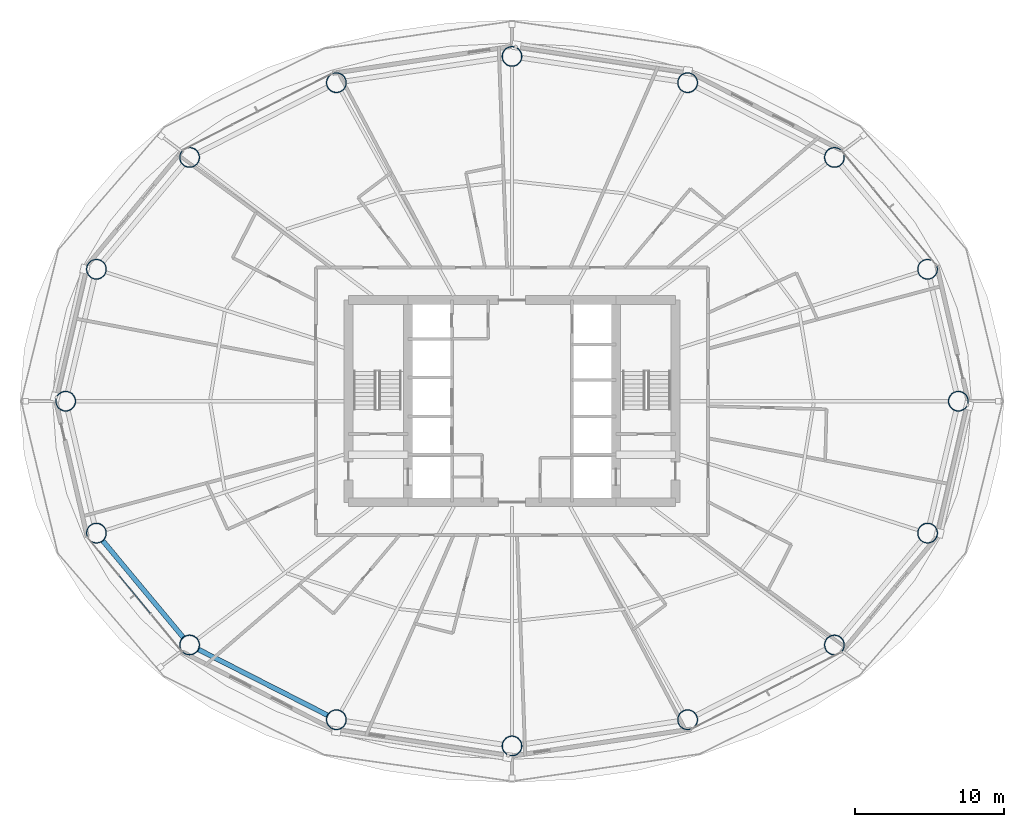
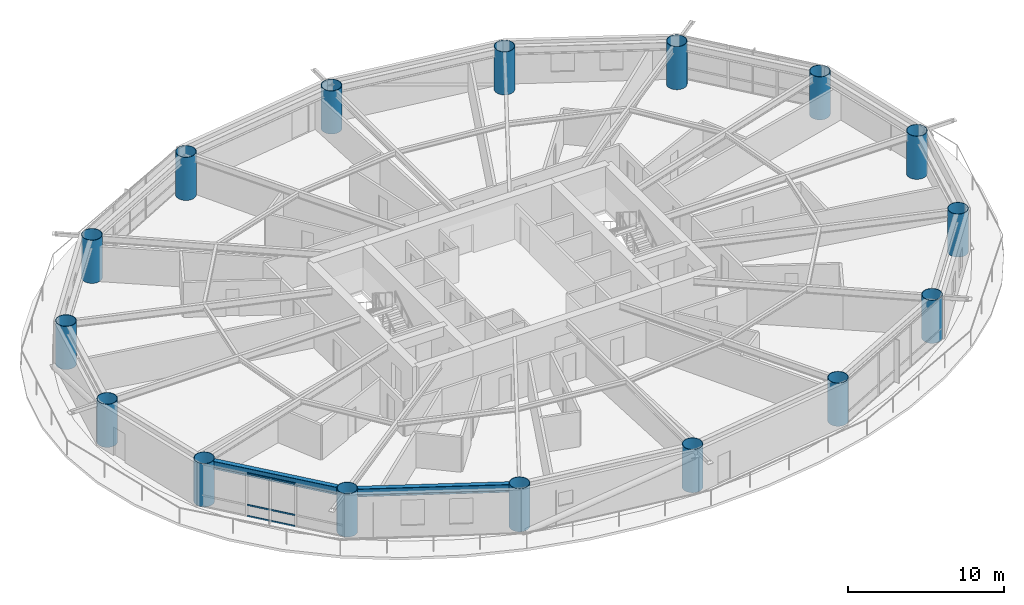
# One storey, part 1 of 26: 16 columns, 3 members, 2 beams, 1 element without a shape of its own.
"""IFC4 building model written with IfcOpenShell, lengths in metres."""

from ifc_helpers import new_model, si_unit, direction, frame, origin, origin_2d, place, context, subcontext, project, spatial, hollow_rectangle, hollow_circle, i_section, extrude, material, layer, layer_set, material_profile, profile_set, type_object, element, aggregate, save


model = new_model("IFC4")

# Units and contexts
model_context = context("Model", 3, precision=1e-05, world=origin(), true_north=direction((0.0, 1.0)))
body_context = subcontext(model_context, "Body", "Model", "MODEL_VIEW")
ifc_project = project(units=[si_unit("LENGTHUNIT", "METRE"), si_unit("AREAUNIT", "SQUARE_METRE"), si_unit("VOLUMEUNIT", "CUBIC_METRE"), si_unit("PLANEANGLEUNIT", "RADIAN"), si_unit("MASSUNIT", "GRAM", prefix="KILO")], contexts=[model_context])

# Site, building, storey
site_placement = place(None, origin())
site = spatial("IfcSite", under=ifc_project, at=site_placement, CompositionType="ELEMENT")
building_placement = place(site_placement, origin())
building = spatial("IfcBuilding", under=site, at=building_placement, Name="Sarneth Arch Tower", CompositionType="ELEMENT")
storey_placement = place(building_placement, frame((0.0, 0.0, 39.0)))
storey = spatial("IfcBuildingStorey", under=building, at=storey_placement, Name="L08", CompositionType="ELEMENT", Elevation=39.0)

# Columns
ifc_material_1 = material(Name="Steel S355", Category="steel")
ifc_material_profile_1 = material_profile(ifc_material_1, hollow_circle(Radius=0.675048828125, WallThickness=0.035888671875, at=origin_2d()), Name="CHS1350x36")
ifc_profile_set_1 = profile_set([ifc_material_profile_1], Name="Steel S355")
column_type = type_object("IfcColumnType", Name="COL-MEGA-1350", PredefinedType="COLUMN", material=ifc_profile_set_1)
for number, where, z_axis, x_axis, name in (
    (1, (78.034912109375, 42.0, 0.0), (0.0, 0.0, 1.0), (1.0, 0.0, 0.0), "L08 Perimeter mega-column M01"),
    (2, (75.965576171875, 50.878173828125, 0.0), (0.0, 0.0, 1.0), (1.0, 0.0, 0.0), "L08 Perimeter mega-column M02"),
    (3, (69.696533203125, 58.40478515625, 0.0), (0.0, 0.0, 1.0), (1.0, 0.0, 0.0), "L08 Perimeter mega-column M03"),
    (4, (59.81787109375, 63.43408203125, 0.0), (0.0, 0.0, 1.0), (1.0, 0.0, 0.0), "L08 Perimeter mega-column M04"),
    (5, (48.0, 65.199951171875, 0.0), (0.0, 0.0, 1.0), (1.0, 0.0, 0.0), "L08 Perimeter mega-column M05"),
    (6, (36.18212890625, 63.43408203125, 0.0), (0.0, 0.0, 1.0), (1.0, 0.0, 0.0), "L08 Perimeter mega-column M06"),
    (7, (26.303466796875, 58.40478515625, 0.0), (0.0, 0.0, 1.0), (1.0, 0.0, 0.0), "L08 Perimeter mega-column M07"),
    (8, (20.034423828125, 50.878173828125, 0.0), (0.0, 0.0, 1.0), (1.0, 0.0, 0.0), "L08 Perimeter mega-column M08"),
    (9, (17.965087890625, 42.0, 0.0), (0.0, 0.0, 1.0), (1.0, 0.0, 0.0), "L08 Perimeter mega-column M09"),
    (10, (20.034423828125, 33.121826171875, 0.0), (0.0, 0.0, 1.0), (1.0, 0.0, 0.0), "L08 Perimeter mega-column M10"),
    (11, (26.303466796875, 25.59521484375, 0.0), (0.0, 0.0, 1.0), (1.0, 0.0, 0.0), "L08 Perimeter mega-column M11"),
    (12, (36.18212890625, 20.56591796875, 0.0), (0.0, 0.0, 1.0), (1.0, 0.0, 0.0), "L08 Perimeter mega-column M12"),
    (13, (48.0, 18.800048828125, 0.0), (0.0, 0.0, 1.0), (1.0, 0.0, 0.0), "L08 Perimeter mega-column M13"),
    (14, (59.81787109375, 20.56591796875, 0.0), (0.0, 0.0, 1.0), (1.0, 0.0, 0.0), "L08 Perimeter mega-column M14"),
    (15, (69.696533203125, 25.59521484375, 0.0), (0.0, 0.0, 1.0), (1.0, 0.0, 0.0), "L08 Perimeter mega-column M15"),
    (16, (75.965576171875, 33.121826171875, 0.0), (0.0, 0.0, 1.0), (1.0, 0.0, 0.0), "L08 Perimeter mega-column M16"),
):
    element("IfcColumn", number, at=place(storey_placement, frame(where, z_axis=z_axis, x_axis=x_axis)), inside=storey, type_object=column_type, Name=name, PredefinedType="COLUMN", context=body_context, shape_type="SweptSolid", body=[
        extrude(hollow_circle(Radius=0.675048828125, WallThickness=0.035888671875, at=origin_2d()), origin(), (0.0, 0.0, 1.0), 3.3798828125),
    ])

# Beams
ifc_material_2 = material(Name="Steel S355", Category="steel")
ifc_material_profile_2 = material_profile(ifc_material_2, i_section(OverallWidth=0.326904296875, OverallDepth=0.6220703125, WebThickness=0.015380859375, FlangeThickness=0.0244140625, FilletRadius=0.01904296875, at=origin_2d()), Name="W610x195")
ifc_profile_set_2 = profile_set([ifc_material_profile_2], Name="Steel S355")
beam_type = type_object("IfcBeamType", Name="BM-SPAN-610A", PredefinedType="SPANDREL", material=ifc_profile_set_2)
beam_1_placement = place(storey_placement, frame((20.466552734375, 32.60302734375, 3.069091796875), z_axis=(0.639979646835, -0.768391860731, 0.0), x_axis=(0.768391860731, 0.639979646835, 0.0)))
element("IfcBeam", 17, at=beam_1_placement, inside=storey, type_object=beam_type, Name="L08 Perimeter spandrel beam 10", PredefinedType="SPANDREL", context=body_context, shape_type="SweptSolid", body=[
    extrude(i_section(OverallWidth=0.326904296875, OverallDepth=0.6220703125, WebThickness=0.015380859375, FlangeThickness=0.0244140625, FilletRadius=0.01904296875, at=origin_2d()), origin(), (0.0, 0.0, 1.0), 8.4453125),
])
beam_2_placement = place(storey_placement, frame((26.90478515625, 25.288818359375, 3.069091796875), z_axis=(0.8911738076, -0.453662037919, 0.0), x_axis=(0.453662037919, 0.8911738076, 0.0)))
element("IfcBeam", 18, at=beam_2_placement, inside=storey, type_object=beam_type, Name="L08 Perimeter spandrel beam 11", PredefinedType="SPANDREL", context=body_context, shape_type="SweptSolid", body=[
    extrude(i_section(OverallWidth=0.326904296875, OverallDepth=0.6220703125, WebThickness=0.015380859375, FlangeThickness=0.0244140625, FilletRadius=0.01904296875, at=origin_2d()), origin(), (0.0, 0.0, 1.0), 9.735107421875),
])

# Curtain wall, members
ifc_material_3 = material(Name="Anodised aluminium Type AA25 and solar-control low-e laminated IGU", Category="aluminium")
ifc_layer = layer(ifc_material_3, 0.159912109375)
ifc_layer_set = layer_set([ifc_layer], Name="Anodised aluminium Type AA25 and solar-control low-e laminated IGU")
curtain_wall_type = type_object("IfcCurtainWallType", Name="CW-HOTEL-LOW", PredefinedType="NOTDEFINED", material=ifc_layer_set)
curtain_wall_placement = place(storey_placement, origin())
curtain_wall = element("IfcCurtainWall", 19, at=curtain_wall_placement, inside=storey, type_object=curtain_wall_type, Name="L08 Unitised curtain wall facet 10", PredefinedType="NOTDEFINED")
ifc_material_4 = material(Name="Anodised Aluminium 6063-T6", Category="aluminium")
ifc_material_profile_3 = material_profile(ifc_material_4, hollow_rectangle(XDim=0.06005859375, YDim=0.1201171875, WallThickness=0.00390625, at=origin_2d()), Name="AL-TRAN-120x60x4")
ifc_profile_set_3 = profile_set([ifc_material_profile_3], Name="Anodised Aluminium 6063-T6")
member_type = type_object("IfcMemberType", Name="CW-TRANSOM", PredefinedType="USERDEFINED", material=ifc_profile_set_3)
member_1_placement = place(storey_placement, frame((21.57373046875, 30.256103515625, 0.030029296875), z_axis=(0.637268595771, -0.770641769465, 0.0), x_axis=(0.770641769465, 0.637268595771, 0.0)))
member_1 = element("IfcMember", 20, at=member_1_placement, type_object=member_type, Name="CW-SYS-3 transom 2.1", ObjectType="TRANSOM", PredefinedType="USERDEFINED", context=body_context, shape_type="SweptSolid", body=[
    extrude(hollow_rectangle(XDim=0.06005859375, YDim=0.1201171875, WallThickness=0.00390625, at=origin_2d()), origin(), (0.0, 0.0, 1.0), 3.291259765625),
])
member_2_placement = place(storey_placement, frame((21.57373046875, 30.256103515625, 0.89990234375), z_axis=(0.637268595771, -0.770641769465, 0.0), x_axis=(0.770641769465, 0.637268595771, 0.0)))
member_2 = element("IfcMember", 21, at=member_2_placement, type_object=member_type, Name="CW-SYS-3 transom 2.2", ObjectType="TRANSOM", PredefinedType="USERDEFINED", context=body_context, shape_type="SweptSolid", body=[
    extrude(hollow_rectangle(XDim=0.06005859375, YDim=0.1201171875, WallThickness=0.00390625, at=origin_2d()), origin(), (0.0, 0.0, 1.0), 3.291259765625),
])
member_3_placement = place(storey_placement, frame((21.57373046875, 30.256103515625, 3.35009765625), z_axis=(0.637268595771, -0.770641769465, 0.0), x_axis=(0.770641769465, 0.637268595771, 0.0)))
member_3 = element("IfcMember", 22, at=member_3_placement, type_object=member_type, Name="CW-SYS-3 transom 2.3", ObjectType="TRANSOM", PredefinedType="USERDEFINED", context=body_context, shape_type="SweptSolid", body=[
    extrude(hollow_rectangle(XDim=0.06005859375, YDim=0.1201171875, WallThickness=0.00390625, at=origin_2d()), origin(), (0.0, 0.0, 1.0), 3.291259765625),
])
aggregate(curtain_wall, [member_1, member_2, member_3])

save(model, "model.ifc")
